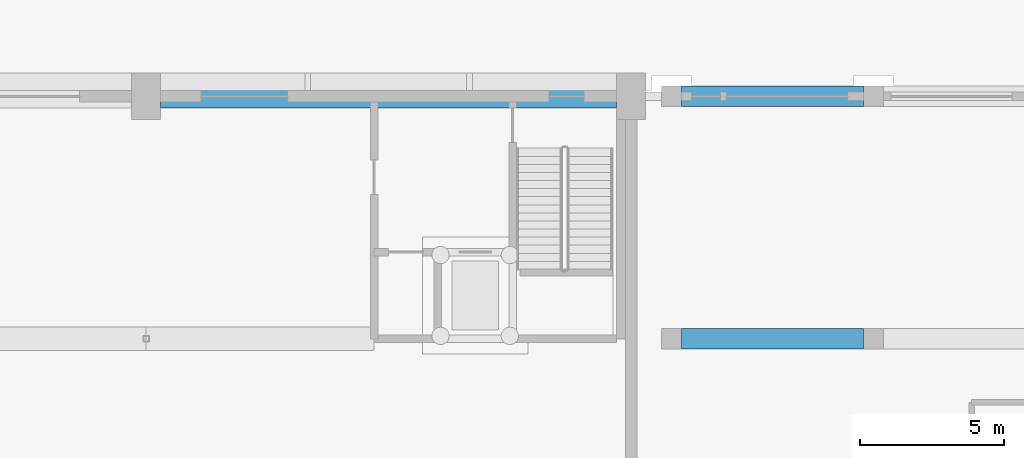
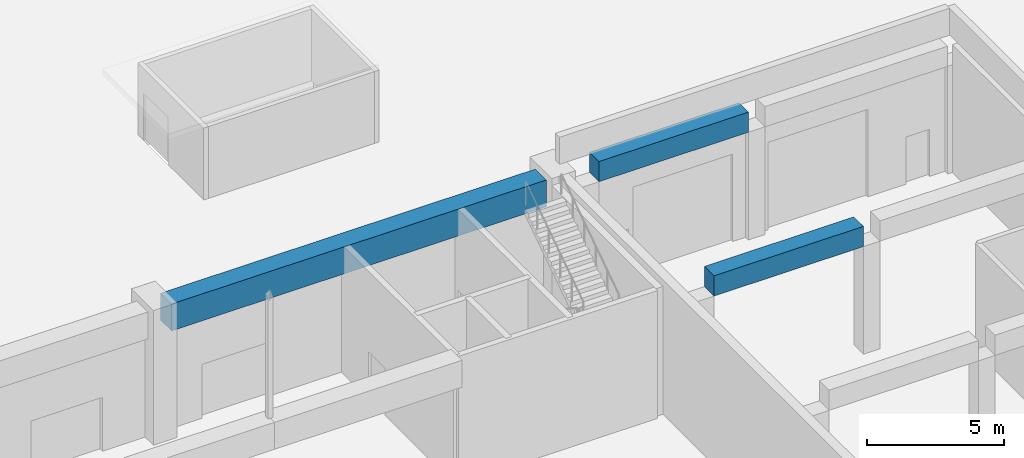
# One storey, part 71 of 210: 3 beams.
"""IFC4 building model written with IfcOpenShell, lengths in metres."""

from ifc_helpers import new_model, si_unit, direction, frame, origin, origin_2d, place, context, subcontext, project, spatial, rectangle, extrude, material, material_profile, profile_set, type_object, element, save


model = new_model("IFC4")

# Units and contexts
model_context = context("Model", 3, precision=1e-05, world=origin(), true_north=direction((0.0, 1.0)))
body_context = subcontext(model_context, "Body", "Model", "MODEL_VIEW")
ifc_project = project(units=[si_unit("LENGTHUNIT", "METRE"), si_unit("AREAUNIT", "SQUARE_METRE"), si_unit("VOLUMEUNIT", "CUBIC_METRE"), si_unit("PLANEANGLEUNIT", "RADIAN"), si_unit("MASSUNIT", "GRAM", prefix="KILO")], contexts=[model_context])

# Site, building, storey
site_placement = place(None, origin())
site = spatial("IfcSite", under=ifc_project, at=site_placement, CompositionType="ELEMENT")
building_placement = place(site_placement, origin())
building = spatial("IfcBuilding", under=site, at=building_placement, Name="Rain Tree Exposition and Congress Centre", CompositionType="ELEMENT")
storey_placement = place(building_placement, origin())
storey = spatial("IfcBuildingStorey", under=building, at=storey_placement, Name="L00", CompositionType="ELEMENT", Elevation=0.0)

# Beams
ifc_material_1 = material(Name="Precast concrete C50/60", Category="concrete")
ifc_material_profile_1 = material_profile(ifc_material_1, rectangle(XDim=0.699951171875, YDim=0.89990234375, at=origin_2d()), Name="RC 700x900")
ifc_profile_set_1 = profile_set([ifc_material_profile_1], Name="Precast concrete C50/60")
beam_type_1 = type_object("IfcBeamType", Name="Precast beam 700x900", PredefinedType="BEAM", material=ifc_profile_set_1)
for number, where, z_axis, x_axis, name in (
    (1, (245.35009765625, 193.199951171875, 5.25), (1.0, 0.0, 0.0), (0.0, 1.0, 0.0), "Service roof beam 23"),
    (2, (245.35009765625, 201.60009765625, 5.25), (1.0, 0.0, 0.0), (0.0, 1.0, 0.0), "Service roof beam 25"),
):
    element("IfcBeam", number, at=place(storey_placement, frame(where, z_axis=z_axis, x_axis=x_axis)), inside=storey, type_object=beam_type_1, Name=name, PredefinedType="BEAM", context=body_context, shape_type="SweptSolid", body=[
        extrude(rectangle(XDim=0.699951171875, YDim=0.89990234375, at=origin_2d()), origin(), (0.0, 0.0, 1.0), 6.2998046875),
    ])
ifc_material_2 = material(Name="Precast concrete C50/60", Category="concrete")
ifc_material_profile_2 = material_profile(ifc_material_2, rectangle(XDim=0.800048828125, YDim=1.199951171875, at=origin_2d()), Name="RC 800x1200")
ifc_profile_set_2 = profile_set([ifc_material_profile_2], Name="Precast concrete C50/60")
beam_type_2 = type_object("IfcBeamType", Name="Precast beam 800x1200", PredefinedType="BEAM", material=ifc_profile_set_2)
beam_placement = place(storey_placement, frame((227.300048828125, 201.60009765625, 5.10009765625), z_axis=(1.0, 0.0, 0.0), x_axis=(0.0, 1.0, 0.0)))
element("IfcBeam", 3, at=beam_placement, inside=storey, type_object=beam_type_2, Name="Gallery perimeter beam 12", PredefinedType="BEAM", context=body_context, shape_type="SweptSolid", body=[
    extrude(rectangle(XDim=0.800048828125, YDim=1.199951171875, at=origin_2d()), origin(), (0.0, 0.0, 1.0), 15.800048828125),
])

save(model, "model.ifc")
